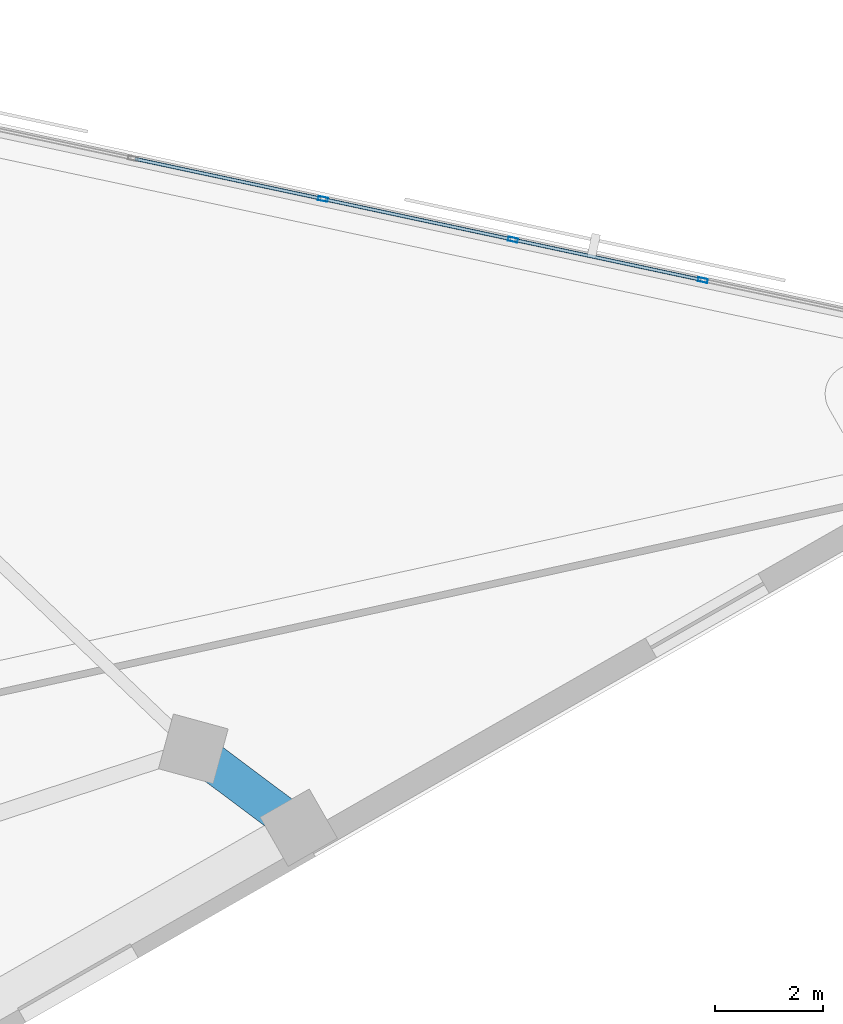
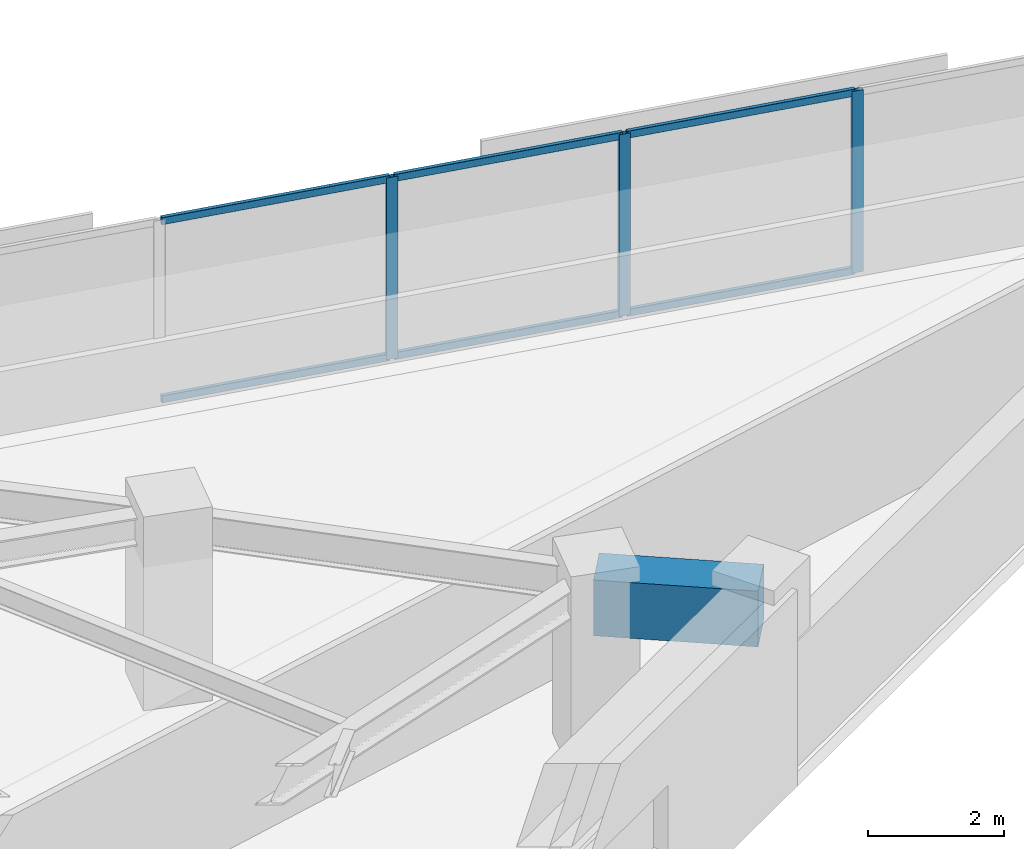
# One storey, part 5 of 13: 9 members, 1 beam, 1 element without a shape of its own.
"""IFC4 building model written with IfcOpenShell, lengths in metres."""

from ifc_helpers import new_model, si_unit, direction, frame, origin, origin_2d, place, context, subcontext, project, spatial, rectangle, hollow_rectangle, extrude, material, material_profile, profile_set, type_object, element, aggregate, save


model = new_model("IFC4")

# Units and contexts
model_context = context("Model", 3, precision=1e-05, world=origin(), true_north=direction((0.0, 1.0)))
body_context = subcontext(model_context, "Body", "Model", "MODEL_VIEW")
ifc_project = project(units=[si_unit("LENGTHUNIT", "METRE"), si_unit("AREAUNIT", "SQUARE_METRE"), si_unit("VOLUMEUNIT", "CUBIC_METRE"), si_unit("PLANEANGLEUNIT", "RADIAN"), si_unit("MASSUNIT", "GRAM", prefix="KILO")], contexts=[model_context])

# Site, building, storey
site_placement = place(None, origin())
site = spatial("IfcSite", under=ifc_project, at=site_placement, CompositionType="ELEMENT")
building_placement = place(site_placement, origin())
building = spatial("IfcBuilding", under=site, at=building_placement, Name="Narakoshi Arena Tower", CompositionType="ELEMENT")
storey_placement = place(building_placement, frame((0.0, 0.0, 222.02001953125)))
storey = spatial("IfcBuildingStorey", under=building, at=storey_placement, Name="L60", CompositionType="ELEMENT", Elevation=222.02001953125)

# Beam
ifc_material_1 = material(Name="Concrete C60/75", Category="concrete")
ifc_material_profile_1 = material_profile(ifc_material_1, rectangle(XDim=0.699951171875, YDim=1.0, at=origin_2d()), Name="RCB700x1000")
ifc_profile_set_1 = profile_set([ifc_material_profile_1], Name="Concrete C60/75")
beam_type = type_object("IfcBeamType", Name="BM-CPL-1000", PredefinedType="BEAM", material=ifc_profile_set_1)
beam_placement = place(storey_placement, frame((104.619873046875, 47.550048828125, 2.760009765625), z_axis=(-0.800768849668, 0.59897349641, 0.0), x_axis=(-0.59897349641, -0.800768849668, 0.0)))
element("IfcBeam", 1, at=beam_placement, inside=storey, type_object=beam_type, Name="L60 Perimeter Edge Girder 03", PredefinedType="BEAM", context=body_context, shape_type="SweptSolid", body=[
    extrude(rectangle(XDim=0.699951171875, YDim=1.0, at=origin_2d()), origin(), (0.0, 0.0, 1.0), 2.4365234375),
])

# Curtain wall, members
ifc_material_2 = material(Name="Anodised bronze aluminium 6063-T6", Category="aluminium")
curtain_wall_type = type_object("IfcCurtainWallType", Name="CW-HYP-MID", PredefinedType="NOTDEFINED", material=ifc_material_2)
curtain_wall_placement = place(storey_placement, origin())
curtain_wall = element("IfcCurtainWall", 2, at=curtain_wall_placement, inside=storey, type_object=curtain_wall_type, Name="L60 Folded Hypotenuse Curtain Wall 1-1", PredefinedType="NOTDEFINED")
ifc_material_profile_2 = material_profile(ifc_material_2, hollow_rectangle(XDim=0.074951171875, YDim=0.179931640625, WallThickness=0.00390625, OuterFilletRadius=0.0048828125, at=origin_2d()), Name="MUL180x75x4")
ifc_profile_set_2 = profile_set([ifc_material_profile_2], Name="Anodised bronze aluminium 6063-T6")
member_type_1 = type_object("IfcMemberType", Name="MEM-MUL-180", PredefinedType="MULLION", material=ifc_profile_set_2)
member_1_placement = place(storey_placement, frame((112.096435546875, 57.680908203125, 0.0), z_axis=(0.0, 0.0, 1.0), x_axis=(-0.208899163248, -0.977937185914, 0.0)))
member_1 = element("IfcMember", 3, at=member_1_placement, type_object=member_type_1, Name="CW-02 mullion 2", PredefinedType="MULLION", context=body_context, shape_type="SweptSolid", body=[
    extrude(hollow_rectangle(XDim=0.074951171875, YDim=0.179931640625, WallThickness=0.00390625, OuterFilletRadius=0.0048828125, at=origin_2d()), origin(), (0.0, 0.0, 1.0), 3.260009765625),
])
member_2_placement = place(storey_placement, frame((108.582275390625, 58.431640625, 0.0), z_axis=(0.0, 0.0, 1.0), x_axis=(-0.208899163248, -0.977937185914, 0.0)))
member_2 = element("IfcMember", 4, at=member_2_placement, type_object=member_type_1, Name="CW-02 mullion 3", PredefinedType="MULLION", context=body_context, shape_type="SweptSolid", body=[
    extrude(hollow_rectangle(XDim=0.074951171875, YDim=0.179931640625, WallThickness=0.00390625, OuterFilletRadius=0.0048828125, at=origin_2d()), origin(), (0.0, 0.0, 1.0), 3.260009765625),
])
member_3_placement = place(storey_placement, frame((105.068115234375, 59.182373046875, 0.0), z_axis=(0.0, 0.0, 1.0), x_axis=(-0.208899163248, -0.977937185914, 0.0)))
member_3 = element("IfcMember", 5, at=member_3_placement, type_object=member_type_1, Name="CW-02 mullion 4", PredefinedType="MULLION", context=body_context, shape_type="SweptSolid", body=[
    extrude(hollow_rectangle(XDim=0.074951171875, YDim=0.179931640625, WallThickness=0.00390625, OuterFilletRadius=0.0048828125, at=origin_2d()), origin(), (0.0, 0.0, 1.0), 3.260009765625),
])
ifc_material_profile_3 = material_profile(ifc_material_2, hollow_rectangle(XDim=0.06494140625, YDim=0.1298828125, WallThickness=0.00390625, OuterFilletRadius=0.0048828125, at=origin_2d()), Name="TRN130x65x4")
ifc_profile_set_3 = profile_set([ifc_material_profile_3], Name="Anodised bronze aluminium 6063-T6")
member_type_2 = type_object("IfcMemberType", Name="MEM-TRN-130", PredefinedType="USERDEFINED", material=ifc_profile_set_3)
member_4_placement = place(storey_placement, frame((112.059814453125, 57.688720703125, 0.032470703125), z_axis=(-0.977932198567, 0.20892250957, 0.0), x_axis=(-0.20892250957, -0.977932198567, 0.0)))
member_4 = element("IfcMember", 6, at=member_4_placement, type_object=member_type_2, Name="CW-02 transom 2.1", ObjectType="TRANSOM", PredefinedType="USERDEFINED", context=body_context, shape_type="SweptSolid", body=[
    extrude(hollow_rectangle(XDim=0.06494140625, YDim=0.1298828125, WallThickness=0.00390625, OuterFilletRadius=0.0048828125, at=origin_2d()), origin(), (0.0, 0.0, 1.0), 3.5185546875),
])
member_5_placement = place(storey_placement, frame((112.059814453125, 57.688720703125, 3.2275390625), z_axis=(-0.977932198567, 0.20892250957, 0.0), x_axis=(-0.20892250957, -0.977932198567, 0.0)))
member_5 = element("IfcMember", 7, at=member_5_placement, type_object=member_type_2, Name="CW-02 transom 2.2", ObjectType="TRANSOM", PredefinedType="USERDEFINED", context=body_context, shape_type="SweptSolid", body=[
    extrude(hollow_rectangle(XDim=0.06494140625, YDim=0.1298828125, WallThickness=0.00390625, OuterFilletRadius=0.0048828125, at=origin_2d()), origin(), (0.0, 0.0, 1.0), 3.5185546875),
])
member_6_placement = place(storey_placement, frame((108.545654296875, 58.439453125, 0.032470703125), z_axis=(-0.977946373003, 0.208856150329, 0.0), x_axis=(-0.208856150329, -0.977946373003, 0.0)))
member_6 = element("IfcMember", 8, at=member_6_placement, type_object=member_type_2, Name="CW-02 transom 3.1", ObjectType="TRANSOM", PredefinedType="USERDEFINED", context=body_context, shape_type="SweptSolid", body=[
    extrude(hollow_rectangle(XDim=0.06494140625, YDim=0.1298828125, WallThickness=0.00390625, OuterFilletRadius=0.0048828125, at=origin_2d()), origin(), (0.0, 0.0, 1.0), 3.5185546875),
])
member_7_placement = place(storey_placement, frame((108.545654296875, 58.439453125, 3.2275390625), z_axis=(-0.977946373003, 0.208856150329, 0.0), x_axis=(-0.208856150329, -0.977946373003, 0.0)))
member_7 = element("IfcMember", 9, at=member_7_placement, type_object=member_type_2, Name="CW-02 transom 3.2", ObjectType="TRANSOM", PredefinedType="USERDEFINED", context=body_context, shape_type="SweptSolid", body=[
    extrude(hollow_rectangle(XDim=0.06494140625, YDim=0.1298828125, WallThickness=0.00390625, OuterFilletRadius=0.0048828125, at=origin_2d()), origin(), (0.0, 0.0, 1.0), 3.5185546875),
])
member_8_placement = place(storey_placement, frame((105.031494140625, 59.190185546875, 0.032470703125), z_axis=(-0.977943345954, 0.208870323659, 0.0), x_axis=(-0.208870323659, -0.977943345954, 0.0)))
member_8 = element("IfcMember", 10, at=member_8_placement, type_object=member_type_2, Name="CW-02 transom 4.1", ObjectType="TRANSOM", PredefinedType="USERDEFINED", context=body_context, shape_type="SweptSolid", body=[
    extrude(hollow_rectangle(XDim=0.06494140625, YDim=0.1298828125, WallThickness=0.00390625, OuterFilletRadius=0.0048828125, at=origin_2d()), origin(), (0.0, 0.0, 1.0), 3.518310546875),
])
member_9_placement = place(storey_placement, frame((105.031494140625, 59.190185546875, 3.2275390625), z_axis=(-0.977943345954, 0.208870323659, 0.0), x_axis=(-0.208870323659, -0.977943345954, 0.0)))
member_9 = element("IfcMember", 11, at=member_9_placement, type_object=member_type_2, Name="CW-02 transom 4.2", ObjectType="TRANSOM", PredefinedType="USERDEFINED", context=body_context, shape_type="SweptSolid", body=[
    extrude(hollow_rectangle(XDim=0.06494140625, YDim=0.1298828125, WallThickness=0.00390625, OuterFilletRadius=0.0048828125, at=origin_2d()), origin(), (0.0, 0.0, 1.0), 3.518310546875),
])
aggregate(curtain_wall, [member_1, member_2, member_3, member_4, member_5, member_6, member_7, member_8, member_9])

save(model, "model.ifc")
